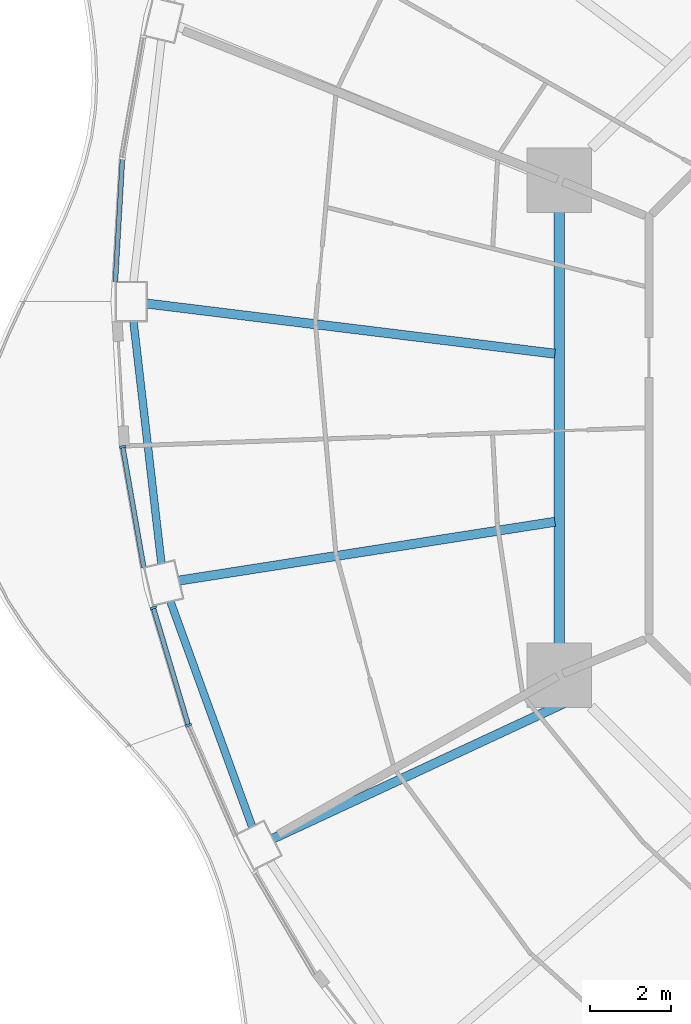
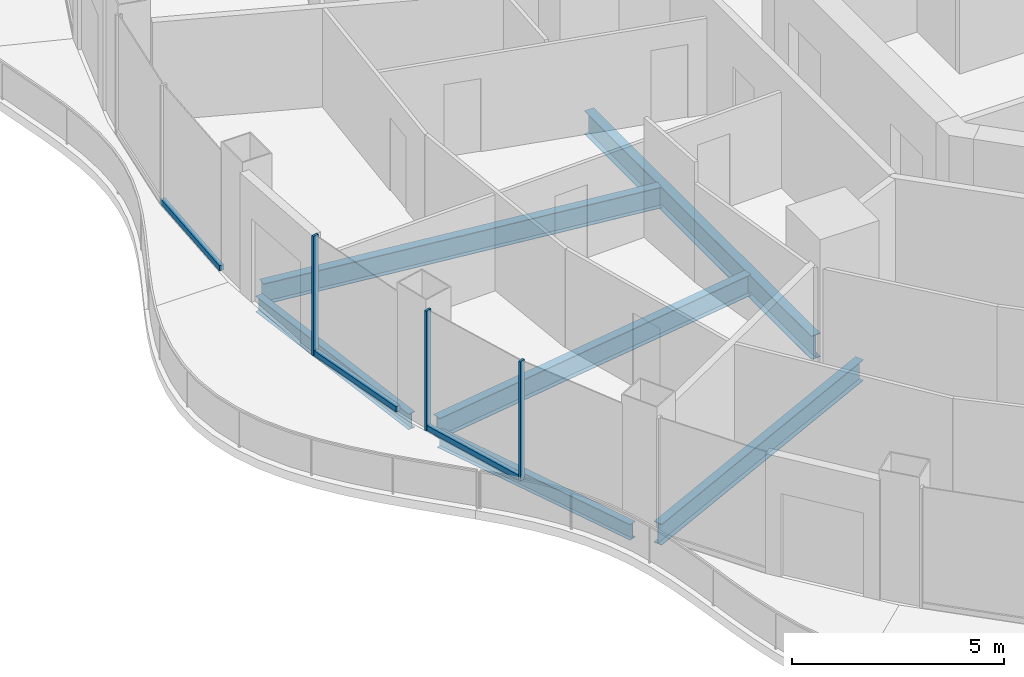
# One storey, part 3 of 18: 6 beams, 6 members, 4 elements without a shape of their own.
"""IFC4 building model written with IfcOpenShell, lengths in metres."""

from ifc_helpers import new_model, si_unit, direction, frame, origin, origin_2d, place, context, subcontext, project, spatial, rectangle, i_section, extrude, material, layer, layer_set, material_profile, profile_set, type_object, element, aggregate, save


model = new_model("IFC4")

# Units and contexts
model_context = context("Model", 3, precision=1e-05, world=origin(), true_north=direction((0.0, 1.0)))
body_context = subcontext(model_context, "Body", "Model", "MODEL_VIEW")
ifc_project = project(units=[si_unit("LENGTHUNIT", "METRE"), si_unit("AREAUNIT", "SQUARE_METRE"), si_unit("VOLUMEUNIT", "CUBIC_METRE"), si_unit("PLANEANGLEUNIT", "RADIAN"), si_unit("MASSUNIT", "GRAM", prefix="KILO")], contexts=[model_context])

# Site, building, storey
site_placement = place(None, origin())
site = spatial("IfcSite", under=ifc_project, at=site_placement, CompositionType="ELEMENT")
building_placement = place(site_placement, origin())
building = spatial("IfcBuilding", under=site, at=building_placement, Name="Nagisa Residences", CompositionType="ELEMENT")
storey_placement = place(building_placement, frame((0.0, 0.0, 223.300048828125)))
storey = spatial("IfcBuildingStorey", under=building, at=storey_placement, Name="L56", CompositionType="ELEMENT", Elevation=223.300048828125)

# Curtain wall, member
ifc_material_1 = material(Name="Concrete-coloured aluminium curtain wall system", Category="concrete")
ifc_layer = layer(ifc_material_1, 0.159912109375)
ifc_layer_set = layer_set([ifc_layer], Name="CW1 CURTAIN WALL")
curtain_wall_type = type_object("IfcCurtainWallType", Name="CW1 CURTAIN WALL", PredefinedType="NOTDEFINED", material=ifc_layer_set)
curtain_wall_1_placement = place(storey_placement, origin())
curtain_wall_1 = element("IfcCurtainWall", 1, at=curtain_wall_1_placement, inside=storey, type_object=curtain_wall_type, Name="cw:CW1:L56:25", PredefinedType="NOTDEFINED")
ifc_material_2 = material(Name="Concrete-coloured aluminium", Category="concrete")
ifc_material_profile_1 = material_profile(ifc_material_2, rectangle(XDim=0.159912109375, YDim=0.06005859375, at=origin_2d()), Name="CW1 MULLION 160x60")
ifc_profile_set_1 = profile_set([ifc_material_profile_1], Name="Concrete-coloured aluminium")
member_type_1 = type_object("IfcMemberType", Name="CW1 MULLION 160x60", PredefinedType="MULLION", material=ifc_profile_set_1)
member_1_placement = place(storey_placement, frame((-25.580078125, -0.47314453125, 0.0), z_axis=(0.0, 0.0, 1.0), x_axis=(0.985063604377, 0.172190868898, 0.0)))
member_1 = element("IfcMember", 2, at=member_1_placement, type_object=member_type_1, Name="CW1 mullion", PredefinedType="MULLION", context=body_context, shape_type="SweptSolid", body=[
    extrude(rectangle(XDim=0.159912109375, YDim=0.06005859375, at=origin_2d()), origin(), (0.0, 0.0, 1.0), 3.43994140625),
])

curtain_wall_2_placement = place(storey_placement, origin())
curtain_wall_2 = element("IfcCurtainWall", 3, at=curtain_wall_2_placement, inside=storey, type_object=curtain_wall_type, Name="cw:CW1:L56:26", PredefinedType="NOTDEFINED")
member_2_placement = place(storey_placement, frame((-24.82177734375, -4.456298828125, 0.0), z_axis=(0.0, 0.0, 1.0), x_axis=(0.958271310082, 0.285860274038, 0.0)))
member_2 = element("IfcMember", 4, at=member_2_placement, type_object=member_type_1, Name="CW1 mullion", PredefinedType="MULLION", context=body_context, shape_type="SweptSolid", body=[
    extrude(rectangle(XDim=0.159912109375, YDim=0.06005859375, at=origin_2d()), origin(), (0.0, 0.0, 1.0), 3.43994140625),
])

curtain_wall_3_placement = place(storey_placement, origin())
curtain_wall_3 = element("IfcCurtainWall", 5, at=curtain_wall_3_placement, inside=storey, type_object=curtain_wall_type, Name="cw:CW1:L56:27", PredefinedType="NOTDEFINED")
member_3_placement = place(storey_placement, frame((-23.952392578125, -7.359619140625, 0.0), z_axis=(0.0, 0.0, 1.0), x_axis=(0.917543276295, 0.397635934147, 0.0)))
member_3 = element("IfcMember", 6, at=member_3_placement, type_object=member_type_1, Name="CW1 mullion", PredefinedType="MULLION", context=body_context, shape_type="SweptSolid", body=[
    extrude(rectangle(XDim=0.159912109375, YDim=0.06005859375, at=origin_2d()), origin(), (0.0, 0.0, 1.0), 3.43994140625),
])
aggregate(curtain_wall_3, [member_3])

curtain_wall_4_placement = place(storey_placement, origin())
curtain_wall_4 = element("IfcCurtainWall", 7, at=curtain_wall_4_placement, inside=storey, type_object=curtain_wall_type, Name="cw:CW1:L56:23", PredefinedType="NOTDEFINED")
ifc_material_3 = material(Name="Concrete-coloured aluminium", Category="concrete")
ifc_material_profile_2 = material_profile(ifc_material_3, rectangle(XDim=0.1201171875, YDim=0.14990234375, at=origin_2d()), Name="CW1 TRANSOM 120x150")
ifc_profile_set_2 = profile_set([ifc_material_profile_2], Name="Concrete-coloured aluminium")
member_type_2 = type_object("IfcMemberType", Name="CW1 TRANSOM 120x150", PredefinedType="USERDEFINED", material=ifc_profile_set_2)
member_4_placement = place(storey_placement, frame((-25.584228515625, 6.688232421875, 0.074951171875), z_axis=(-0.057528189427, -0.998343882348, 0.0), x_axis=(0.998343882348, -0.057528189427, 0.0)))
member_4 = element("IfcMember", 8, at=member_4_placement, type_object=member_type_2, Name="CW1 transom", ObjectType="TRANSOM", PredefinedType="USERDEFINED", context=body_context, shape_type="SweptSolid", body=[
    extrude(rectangle(XDim=0.1201171875, YDim=0.14990234375, at=origin_2d()), origin(), (0.0, 0.0, 1.0), 3.0810546875),
])
aggregate(curtain_wall_4, [member_4])

# Member
member_5_placement = place(storey_placement, frame((-25.585205078125, -0.443603515625, 0.074951171875), z_axis=(0.172164083933, -0.985068286061, 0.0), x_axis=(0.985068286061, 0.172164083933, 0.0)))
member_5 = element("IfcMember", 9, at=member_5_placement, type_object=member_type_2, Name="CW1 transom", ObjectType="TRANSOM", PredefinedType="USERDEFINED", context=body_context, shape_type="SweptSolid", body=[
    extrude(rectangle(XDim=0.1201171875, YDim=0.14990234375, at=origin_2d()), origin(), (0.0, 0.0, 1.0), 3.0673828125),
])

aggregate(curtain_wall_1, [member_1, member_5])

member_6_placement = place(storey_placement, frame((-24.830322265625, -4.427734375, 0.074951171875), z_axis=(0.285881452443, -0.958264992134, 0.0), x_axis=(0.958264992134, 0.285881452443, 0.0)))
member_6 = element("IfcMember", 10, at=member_6_placement, type_object=member_type_2, Name="CW1 transom", ObjectType="TRANSOM", PredefinedType="USERDEFINED", context=body_context, shape_type="SweptSolid", body=[
    extrude(rectangle(XDim=0.1201171875, YDim=0.14990234375, at=origin_2d()), origin(), (0.0, 0.0, 1.0), 3.040283203125),
])

aggregate(curtain_wall_2, [member_2, member_6])

# Beams
ifc_material_4 = material(Name="Steel ASTM A572 Gr 50", Category="steel")
ifc_material_profile_3 = material_profile(ifc_material_4, i_section(OverallWidth=0.2529296875, OverallDepth=0.677978515625, WebThickness=0.01171875, FlangeThickness=0.016357421875, at=origin_2d()), Name="W690x125")
ifc_profile_set_3 = profile_set([ifc_material_profile_3], Name="Steel ASTM A572 Gr 50")
beam_type_1 = type_object("IfcBeamType", Name="Inner ring beam W690x125", PredefinedType="BEAM", material=ifc_profile_set_3)
beam_1_placement = place(storey_placement, frame((-14.781982421875, 5.343017578125, -0.59912109375), z_axis=(0.0, -1.0, 0.0), x_axis=(1.0, 0.0, 0.0)))
element("IfcBeam", 11, at=beam_1_placement, inside=storey, type_object=beam_type_1, Name="beam:L56:ib4", PredefinedType="BEAM", context=body_context, shape_type="SweptSolid", body=[
    extrude(i_section(OverallWidth=0.2529296875, OverallDepth=0.677978515625, WebThickness=0.01171875, FlangeThickness=0.016357421875, at=origin_2d()), origin(), (0.0, 0.0, 1.0), 10.68603515625),
])
ifc_material_5 = material(Name="Steel ASTM A572 Gr 50", Category="steel")
ifc_material_profile_4 = material_profile(ifc_material_5, i_section(OverallWidth=0.18994140625, OverallDepth=0.45703125, WebThickness=0.009033203125, FlangeThickness=0.014404296875, at=origin_2d()), Name="W460x74")
ifc_profile_set_4 = profile_set([ifc_material_profile_4], Name="Steel ASTM A572 Gr 50")
beam_type_2 = type_object("IfcBeamType", Name="Perimeter ring beam W460x74", PredefinedType="BEAM", material=ifc_profile_set_4)
beam_2_placement = place(storey_placement, frame((-25.314697265625, 2.637451171875, -0.488525390625), z_axis=(0.114650193512, -0.993405925656, 0.0), x_axis=(0.993405925656, 0.114650193512, 0.0)))
element("IfcBeam", 12, at=beam_2_placement, inside=storey, type_object=beam_type_2, Name="beam:L56:pb13", PredefinedType="BEAM", context=body_context, shape_type="SweptSolid", body=[
    extrude(i_section(OverallWidth=0.18994140625, OverallDepth=0.45703125, WebThickness=0.009033203125, FlangeThickness=0.014404296875, at=origin_2d()), origin(), (0.0, 0.0, 1.0), 6.0390625),
])
beam_3_placement = place(storey_placement, frame((-24.40185546875, -4.29638671875, -0.488525390625), z_axis=(0.341290329164, -0.939957930558, 0.0), x_axis=(0.939957930558, 0.341290329164, 0.0)))
element("IfcBeam", 13, at=beam_3_placement, inside=storey, type_object=beam_type_2, Name="beam:L56:pb14", PredefinedType="BEAM", context=body_context, shape_type="SweptSolid", body=[
    extrude(i_section(OverallWidth=0.18994140625, OverallDepth=0.45703125, WebThickness=0.009033203125, FlangeThickness=0.014404296875, at=origin_2d()), origin(), (0.0, 0.0, 1.0), 5.932373046875),
])
ifc_material_6 = material(Name="Steel ASTM A572 Gr 50", Category="steel")
ifc_material_profile_5 = material_profile(ifc_material_6, i_section(OverallWidth=0.22802734375, OverallDepth=0.60302734375, WebThickness=0.010498046875, FlangeThickness=0.014892578125, at=origin_2d()), Name="W610x101")
ifc_profile_set_5 = profile_set([ifc_material_profile_5], Name="Steel ASTM A572 Gr 50")
beam_type_3 = type_object("IfcBeamType", Name="Radial beam W610x101", PredefinedType="BEAM", material=ifc_profile_set_5)
beam_4_placement = place(storey_placement, frame((-24.98974609375, 3.071044921875, -0.5615234375), z_axis=(0.992531892614, -0.121985417749, 0.0), x_axis=(0.121985417749, 0.992531892614, 0.0)))
element("IfcBeam", 14, at=beam_4_placement, inside=storey, type_object=beam_type_3, Name="beam:L56:rb13", PredefinedType="BEAM", context=body_context, shape_type="SweptSolid", body=[
    extrude(i_section(OverallWidth=0.22802734375, OverallDepth=0.60302734375, WebThickness=0.010498046875, FlangeThickness=0.014892578125, at=origin_2d()), origin(), (0.0, 0.0, 1.0), 10.177001953125),
])
beam_5_placement = place(storey_placement, frame((-24.190185546875, -3.782958984375, -0.5615234375), z_axis=(0.987991506145, 0.154508199738, 0.0), x_axis=(-0.154508199738, 0.987991506145, 0.0)))
element("IfcBeam", 15, at=beam_5_placement, inside=storey, type_object=beam_type_3, Name="beam:L56:rb14", PredefinedType="BEAM", context=body_context, shape_type="SweptSolid", body=[
    extrude(i_section(OverallWidth=0.22802734375, OverallDepth=0.60302734375, WebThickness=0.010498046875, FlangeThickness=0.014892578125, at=origin_2d()), origin(), (0.0, 0.0, 1.0), 9.414306640625),
])
beam_6_placement = place(storey_placement, frame((-21.867431640625, -10.1669921875, -0.5615234375), z_axis=(0.906781531642, 0.421600822903, 0.0), x_axis=(-0.421600822903, 0.906781531642, 0.0)))
element("IfcBeam", 16, at=beam_6_placement, inside=storey, type_object=beam_type_3, Name="beam:L56:rb15", PredefinedType="BEAM", context=body_context, shape_type="SweptSolid", body=[
    extrude(i_section(OverallWidth=0.22802734375, OverallDepth=0.60302734375, WebThickness=0.010498046875, FlangeThickness=0.014892578125, at=origin_2d()), origin(), (0.0, 0.0, 1.0), 8.263427734375),
])

save(model, "model.ifc")
